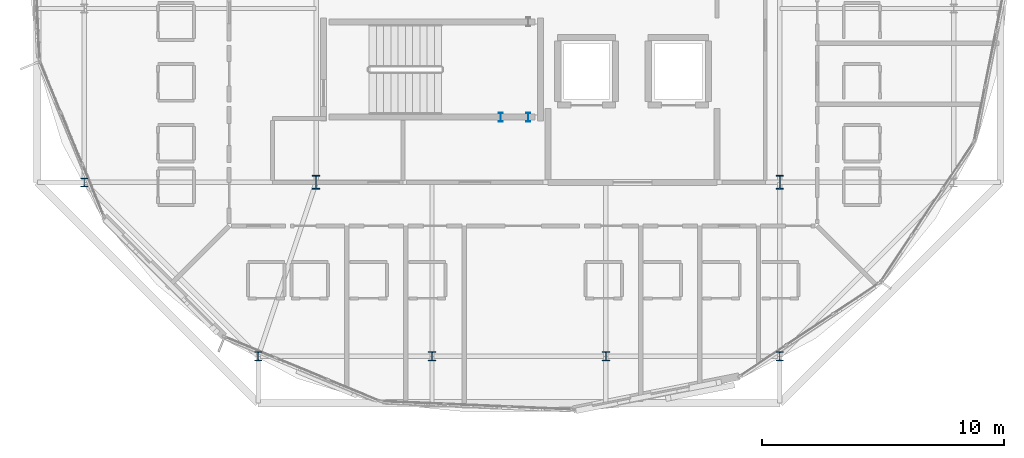
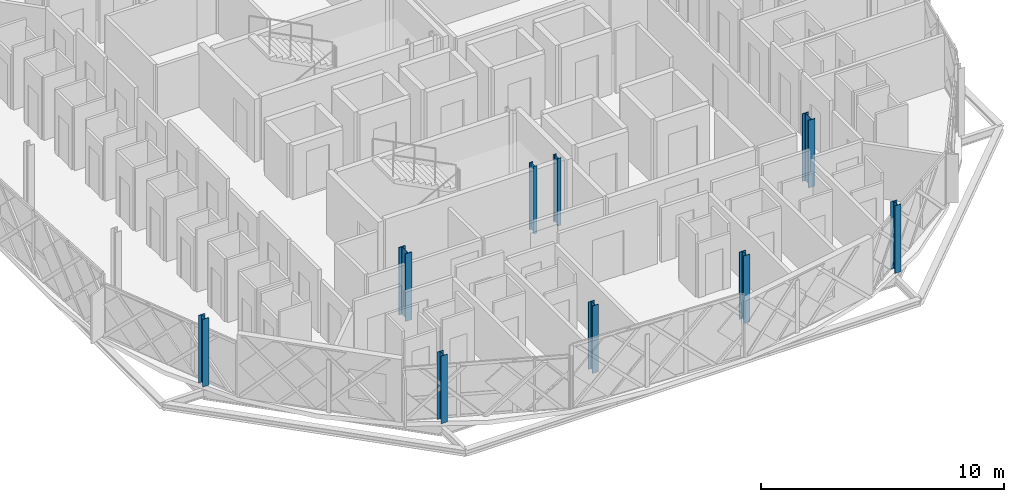
# One storey, part 1 of 24: 9 columns.
"""IFC4 building model written with IfcOpenShell, lengths in metres."""

from ifc_helpers import new_model, si_unit, direction, frame, origin, origin_2d, place, context, subcontext, project, spatial, i_section, extrude, material, material_profile, profile_set, type_object, element, save


model = new_model("IFC4")

# Units and contexts
model_context = context("Model", 3, precision=1e-05, world=origin(), true_north=direction((0.0, 1.0)))
body_context = subcontext(model_context, "Body", "Model", "MODEL_VIEW")
ifc_project = project(units=[si_unit("LENGTHUNIT", "METRE"), si_unit("AREAUNIT", "SQUARE_METRE"), si_unit("VOLUMEUNIT", "CUBIC_METRE"), si_unit("PLANEANGLEUNIT", "RADIAN"), si_unit("MASSUNIT", "GRAM", prefix="KILO")], contexts=[model_context])

# Site, building, storey
site_placement = place(None, origin())
site = spatial("IfcSite", under=ifc_project, at=site_placement, CompositionType="ELEMENT")
building_placement = place(site_placement, origin())
building = spatial("IfcBuilding", under=site, at=building_placement, Name="Zevrakil Square Congress Hotel", CompositionType="ELEMENT")
storey_placement = place(building_placement, frame((0.0, 0.0, 35.10009765625)))
storey = spatial("IfcBuildingStorey", under=building, at=storey_placement, Name="L10", CompositionType="ELEMENT", Elevation=35.10009765625)

# Columns
ifc_material_1 = material(Name="Steel S355", Category="steel")
ifc_material_profile_1 = material_profile(ifc_material_1, i_section(OverallWidth=0.300048828125, OverallDepth=0.360107421875, WebThickness=0.012451171875, FlangeThickness=0.0224609375, FilletRadius=0.027099609375, at=origin_2d()), Name="HEB 360")
ifc_profile_set_1 = profile_set([ifc_material_profile_1], Name="Steel S355")
column_type_1 = type_object("IfcColumnType", Name="COL-HEB360", PredefinedType="COLUMN", material=ifc_profile_set_1)
for number, where, z_axis, x_axis, name in (
    (1, (134.39990234375, 9.60009765625, 0.0), (0.0, 0.0, 1.0), (1.0, 0.0, 0.0), "L10 drum column DC01"),
    (2, (141.60009765625, 9.60009765625, 0.0), (0.0, 0.0, 1.0), (1.0, 0.0, 0.0), "L10 drum column DC02"),
    (3, (148.800048828125, 9.60009765625, 0.0), (0.0, 0.0, 1.0), (1.0, 0.0, 0.0), "L10 drum column DC03"),
    (4, (156.0, 9.60009765625, 0.0), (0.0, 0.0, 1.0), (1.0, 0.0, 0.0), "L10 drum column DC04"),
    (5, (127.199951171875, 16.800048828125, 0.0), (0.0, 0.0, 1.0), (1.0, 0.0, 0.0), "L10 drum column DC16"),
):
    element("IfcColumn", number, at=place(storey_placement, frame(where, z_axis=z_axis, x_axis=x_axis)), inside=storey, type_object=column_type_1, Name=name, PredefinedType="COLUMN", context=body_context, shape_type="SweptSolid", body=[
        extrude(i_section(OverallWidth=0.300048828125, OverallDepth=0.360107421875, WebThickness=0.012451171875, FlangeThickness=0.0224609375, FilletRadius=0.027099609375, at=origin_2d()), origin(), (0.0, 0.0, 1.0), 3.39990234375),
    ])
ifc_material_2 = material(Name="Steel S355", Category="steel")
ifc_material_profile_2 = material_profile(ifc_material_2, i_section(OverallWidth=0.305908203125, OverallDepth=0.572021484375, WebThickness=0.02099609375, FlangeThickness=0.0400390625, FilletRadius=0.027099609375, at=origin_2d()), Name="HEM 550")
ifc_profile_set_2 = profile_set([ifc_material_profile_2], Name="Steel S355")
column_type_2 = type_object("IfcColumnType", Name="COL-HEM550", PredefinedType="COLUMN", material=ifc_profile_set_2)
for number, where, z_axis, x_axis, name in (
    (6, (136.800048828125, 16.800048828125, 0.0), (0.0, 0.0, 1.0), (1.0, 0.0, 0.0), "L10 column C-206"),
    (7, (156.0, 16.800048828125, 0.0), (0.0, 0.0, 1.0), (1.0, 0.0, 0.0), "L10 column C-222"),
):
    element("IfcColumn", number, at=place(storey_placement, frame(where, z_axis=z_axis, x_axis=x_axis)), inside=storey, type_object=column_type_2, Name=name, PredefinedType="COLUMN", context=body_context, shape_type="SweptSolid", body=[
        extrude(i_section(OverallWidth=0.305908203125, OverallDepth=0.572021484375, WebThickness=0.02099609375, FlangeThickness=0.0400390625, FilletRadius=0.027099609375, at=origin_2d()), origin(), (0.0, 0.0, 1.0), 3.39990234375),
    ])
ifc_material_3 = material(Name="Steel S355", Category="steel")
ifc_material_profile_3 = material_profile(ifc_material_3, i_section(OverallWidth=0.169921875, OverallDepth=0.360107421875, WebThickness=0.008056640625, FlangeThickness=0.0126953125, FilletRadius=0.01806640625, at=origin_2d()), Name="IPE 360")
ifc_profile_set_3 = profile_set([ifc_material_profile_3], Name="Steel S355")
column_type_3 = type_object("IfcColumnType", Name="COL-PILASTER-SHS180", PredefinedType="PILASTER", material=ifc_profile_set_3)
for number, where, z_axis, x_axis, name in (
    (8, (144.449951171875, 19.5, 0.0), (0.0, 0.0, 1.0), (1.0, 0.0, 0.0), "L10 ST01 stair shaft post 1"),
    (9, (145.580078125, 19.5, 0.0), (0.0, 0.0, 1.0), (1.0, 0.0, 0.0), "L10 ST01 stair shaft post 2"),
):
    element("IfcColumn", number, at=place(storey_placement, frame(where, z_axis=z_axis, x_axis=x_axis)), inside=storey, type_object=column_type_3, Name=name, PredefinedType="PILASTER", context=body_context, shape_type="SweptSolid", body=[
        extrude(i_section(OverallWidth=0.169921875, OverallDepth=0.360107421875, WebThickness=0.008056640625, FlangeThickness=0.0126953125, FilletRadius=0.01806640625, at=origin_2d()), origin(), (0.0, 0.0, 1.0), 3.39990234375),
    ])

save(model, "model.ifc")
